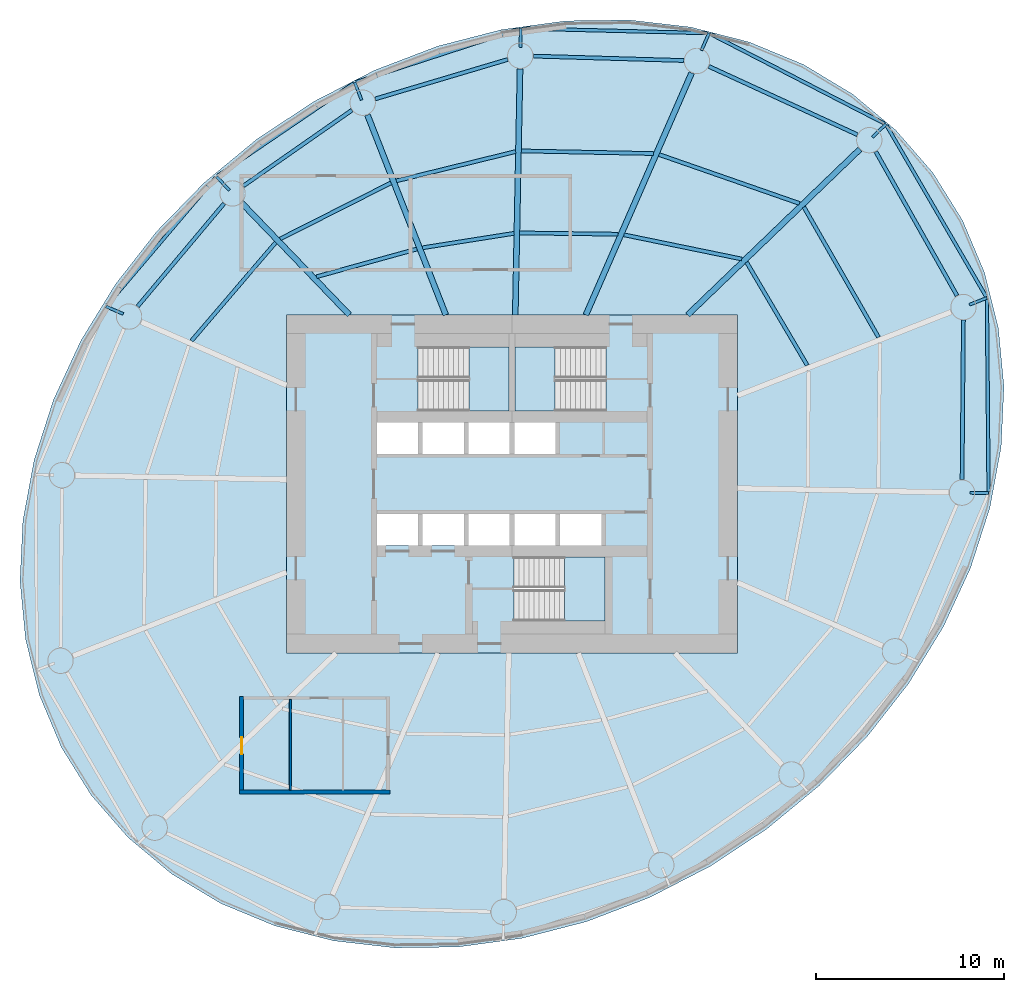
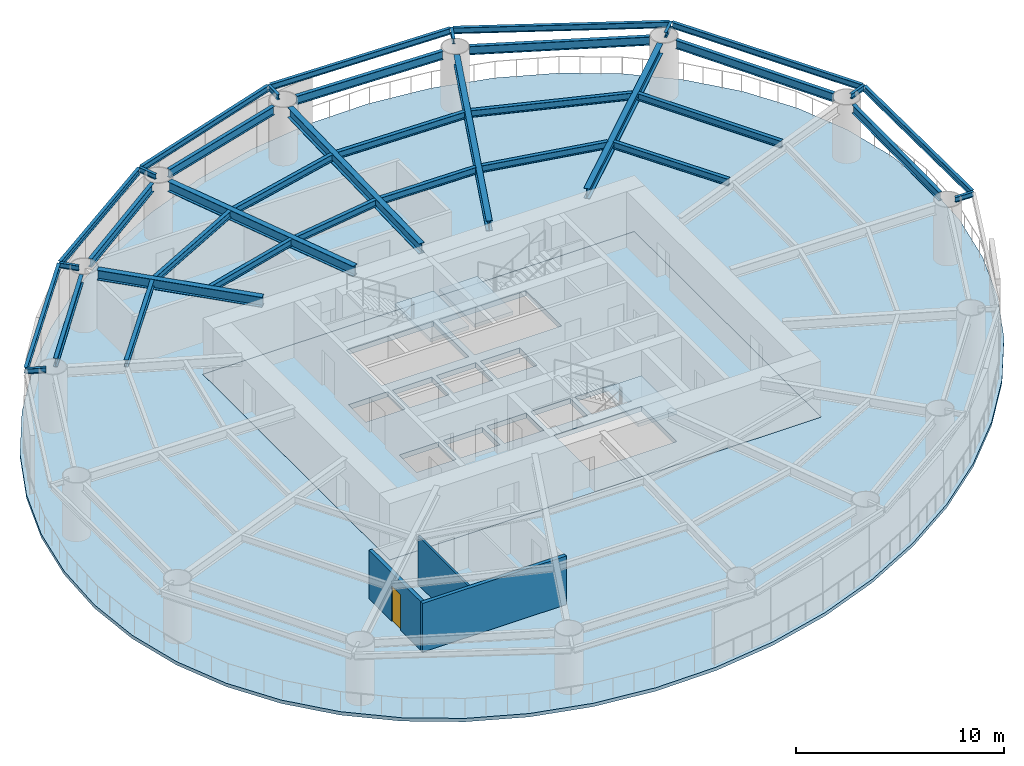
# One storey, part 2 of 8: 38 beams, 5 slabs, 3 walls, 1 door, 1 opening, 3 elements without a shape of their own.
"""IFC4 building model written with IfcOpenShell, lengths in metres."""

from ifc_helpers import new_model, si_unit, direction, frame, frame_2d, origin, origin_2d, place, context, subcontext, project, spatial, polyline, rectangle, i_section, outline, extrude, material, layer, layer_set, material_profile, profile_set, type_object, element, fill, aggregate, save


model = new_model("IFC4")

# Units and contexts
model_context = context("Model", 3, precision=1e-05, world=origin(), true_north=direction((0.0, 1.0)))
body_context = subcontext(model_context, "Body", "Model", "MODEL_VIEW")
ifc_project = project(units=[si_unit("LENGTHUNIT", "METRE"), si_unit("AREAUNIT", "SQUARE_METRE"), si_unit("VOLUMEUNIT", "CUBIC_METRE"), si_unit("PLANEANGLEUNIT", "RADIAN"), si_unit("MASSUNIT", "GRAM", prefix="KILO")], contexts=[model_context])

# Site, building, storey
site_placement = place(None, origin())
site = spatial("IfcSite", under=ifc_project, at=site_placement, CompositionType="ELEMENT")
building_placement = place(site_placement, origin())
building = spatial("IfcBuilding", under=site, at=building_placement, Name="Vermilion Reach Broadcast Tower", CompositionType="ELEMENT")
storey_placement = place(building_placement, frame((0.0, 0.0, 179.39990234375)))
storey = spatial("IfcBuildingStorey", under=building, at=storey_placement, Name="L43", CompositionType="ELEMENT", Elevation=179.39990234375)

# Beams
ifc_material_1 = material(Name="Steel S355J2", Category="steel")
ifc_material_profile_1 = material_profile(ifc_material_1, i_section(OverallWidth=0.175048828125, OverallDepth=0.35009765625, WebThickness=0.007080078125, FlangeThickness=0.010986328125, at=origin_2d()), Name="S355J2 HN 350x175x7x11")
ifc_profile_set_1 = profile_set([ifc_material_profile_1], Name="Steel S355J2")
beam_type_1 = type_object("IfcBeamType", Name="EB3 HN 350x175x7x11", PredefinedType="BEAM", material=ifc_profile_set_1)
beam_1_placement = place(storey_placement, frame((13.8369140625, 19.18701171875, 3.275146484375), z_axis=(-0.889016392654, 0.45787536906, 0.0), x_axis=(-0.45787536906, -0.889016392654, 0.0)))
element("IfcBeam", 1, at=beam_1_placement, inside=storey, type_object=beam_type_1, Name="Edge beam EB3-01", PredefinedType="BEAM", context=body_context, shape_type="SweptSolid", body=[
    extrude(i_section(OverallWidth=0.175048828125, OverallDepth=0.35009765625, WebThickness=0.007080078125, FlangeThickness=0.010986328125, at=origin_2d()), origin(), (0.0, 0.0, 1.0), 10.43798828125),
])
beam_2_placement = place(storey_placement, frame((4.40966796875, 24.002685546875, 3.275146484375), z_axis=(-0.99968959052, 0.024914305243, 0.0), x_axis=(-0.024914305243, -0.99968959052, 0.0)))
element("IfcBeam", 2, at=beam_2_placement, inside=storey, type_object=beam_type_1, Name="Edge beam EB3-02", PredefinedType="BEAM", context=body_context, shape_type="SweptSolid", body=[
    extrude(i_section(OverallWidth=0.175048828125, OverallDepth=0.35009765625, WebThickness=0.007080078125, FlangeThickness=0.010986328125, at=origin_2d()), origin(), (0.0, 0.0, 1.0), 9.867919921875),
])
beam_3_placement = place(storey_placement, frame((-5.605712890625, 24.225830078125, 3.275146484375), z_axis=(-0.950873625049, -0.309579310011, 0.0), x_axis=(0.309579310011, -0.950873625049, 0.0)))
element("IfcBeam", 3, at=beam_3_placement, inside=storey, type_object=beam_type_1, Name="Edge beam EB3-03", PredefinedType="BEAM", context=body_context, shape_type="SweptSolid", body=[
    extrude(i_section(OverallWidth=0.175048828125, OverallDepth=0.35009765625, WebThickness=0.007080078125, FlangeThickness=0.010986328125, at=origin_2d()), origin(), (0.0, 0.0, 1.0), 9.143310546875),
])
beam_4_placement = place(storey_placement, frame((-14.434814453125, 21.32861328125, 3.275146484375), z_axis=(-0.826972128936, -0.562242917219, 0.0), x_axis=(0.562242917219, -0.826972128936, 0.0)))
element("IfcBeam", 4, at=beam_4_placement, inside=storey, type_object=beam_type_1, Name="Edge beam EB3-04", PredefinedType="BEAM", context=body_context, shape_type="SweptSolid", body=[
    extrude(i_section(OverallWidth=0.175048828125, OverallDepth=0.35009765625, WebThickness=0.007080078125, FlangeThickness=0.010986328125, at=origin_2d()), origin(), (0.0, 0.0, 1.0), 8.757568359375),
])
beam_5_placement = place(storey_placement, frame((-21.788818359375, 16.304443359375, 3.275146484375), z_axis=(-0.647521282414, -0.76204736652, 0.0), x_axis=(0.76204736652, -0.647521282414, 0.0)))
element("IfcBeam", 5, at=beam_5_placement, inside=storey, type_object=beam_type_1, Name="Edge beam EB3-05", PredefinedType="BEAM", context=body_context, shape_type="SweptSolid", body=[
    extrude(i_section(OverallWidth=0.175048828125, OverallDepth=0.35009765625, WebThickness=0.007080078125, FlangeThickness=0.010986328125, at=origin_2d()), origin(), (0.0, 0.0, 1.0), 8.919189453125),
])
beam_6_placement = place(storey_placement, frame((19.37548828125, -0.416748046875, 3.275146484375), z_axis=(-0.008653453372, 0.999962558171, 0.0), x_axis=(-0.999962558171, -0.008653453372, 0.0)))
element("IfcBeam", 6, at=beam_6_placement, inside=storey, type_object=beam_type_1, Name="Edge beam EB3-15", PredefinedType="BEAM", context=body_context, shape_type="SweptSolid", body=[
    extrude(i_section(OverallWidth=0.175048828125, OverallDepth=0.35009765625, WebThickness=0.007080078125, FlangeThickness=0.010986328125, at=origin_2d()), origin(), (0.0, 0.0, 1.0), 10.241455078125),
])
beam_7_placement = place(storey_placement, frame((19.248046875, 9.969970703125, 3.275146484375), z_axis=(-0.502826897751, 0.864387130225, 0.0), x_axis=(-0.864387130225, -0.502826897751, 0.0)))
element("IfcBeam", 7, at=beam_7_placement, inside=storey, type_object=beam_type_1, Name="Edge beam EB3-16", PredefinedType="BEAM", context=body_context, shape_type="SweptSolid", body=[
    extrude(i_section(OverallWidth=0.175048828125, OverallDepth=0.35009765625, WebThickness=0.007080078125, FlangeThickness=0.010986328125, at=origin_2d()), origin(), (0.0, 0.0, 1.0), 10.5439453125),
])
ifc_material_2 = material(Name="Steel S355J2", Category="steel")
ifc_material_profile_2 = material_profile(ifc_material_2, i_section(OverallWidth=0.300048828125, OverallDepth=0.587890625, WebThickness=0.011962890625, FlangeThickness=0.02001953125, at=origin_2d()), Name="S355J2 HM 588x300x12x20")
ifc_profile_set_2 = profile_set([ifc_material_profile_2], Name="Steel S355J2")
beam_type_2 = type_object("IfcBeamType", Name="G3 HM 588x300x12x20", PredefinedType="BEAM", material=ifc_profile_set_2)
beam_8_placement = place(storey_placement, frame((3.355712890625, 9.0, 3.156005859375), z_axis=(0.720670374476, 0.693277874559, 0.0), x_axis=(-0.693277874559, 0.720670374476, 0.0)))
element("IfcBeam", 8, at=beam_8_placement, inside=storey, type_object=beam_type_2, Name="Girder G3-01", PredefinedType="BEAM", context=body_context, shape_type="SweptSolid", body=[
    extrude(i_section(OverallWidth=0.300048828125, OverallDepth=0.587890625, WebThickness=0.011962890625, FlangeThickness=0.02001953125, at=origin_2d()), origin(), (0.0, 0.0, 1.0), 12.718505859375),
])
beam_9_placement = place(storey_placement, frame((-2.066162109375, 9.0, 3.156005859375), z_axis=(0.400519113205, 0.916288404356, 0.0), x_axis=(-0.916288404356, 0.400519113205, 0.0)))
element("IfcBeam", 9, at=beam_9_placement, inside=storey, type_object=beam_type_2, Name="Girder G3-02", PredefinedType="BEAM", context=body_context, shape_type="SweptSolid", body=[
    extrude(i_section(OverallWidth=0.300048828125, OverallDepth=0.587890625, WebThickness=0.011962890625, FlangeThickness=0.02001953125, at=origin_2d()), origin(), (0.0, 0.0, 1.0), 14.0595703125),
])
beam_10_placement = place(storey_placement, frame((-5.82568359375, 9.0, 3.156005859375), z_axis=(0.019378372481, 0.99981222171, 0.0), x_axis=(-0.99981222171, 0.019378372481, 0.0)))
element("IfcBeam", 10, at=beam_10_placement, inside=storey, type_object=beam_type_2, Name="Girder G3-03", PredefinedType="BEAM", context=body_context, shape_type="SweptSolid", body=[
    extrude(i_section(OverallWidth=0.300048828125, OverallDepth=0.587890625, WebThickness=0.011962890625, FlangeThickness=0.02001953125, at=origin_2d()), origin(), (0.0, 0.0, 1.0), 13.1025390625),
])
beam_11_placement = place(storey_placement, frame((-9.525146484375, 9.0, 3.156005859375), z_axis=(-0.364715649973, 0.931118947646, 0.0), x_axis=(-0.931118947646, -0.364715649973, 0.0)))
element("IfcBeam", 11, at=beam_11_placement, inside=storey, type_object=beam_type_2, Name="Girder G3-04", PredefinedType="BEAM", context=body_context, shape_type="SweptSolid", body=[
    extrude(i_section(OverallWidth=0.300048828125, OverallDepth=0.587890625, WebThickness=0.011962890625, FlangeThickness=0.02001953125, at=origin_2d()), origin(), (0.0, 0.0, 1.0), 11.436767578125),
])
beam_12_placement = place(storey_placement, frame((-14.657958984375, 9.0, 3.156005859375), z_axis=(-0.693282657492, 0.72066577331, 0.0), x_axis=(-0.72066577331, -0.693282657492, 0.0)))
element("IfcBeam", 12, at=beam_12_placement, inside=storey, type_object=beam_type_2, Name="Girder G3-05", PredefinedType="BEAM", context=body_context, shape_type="SweptSolid", body=[
    extrude(i_section(OverallWidth=0.300048828125, OverallDepth=0.587890625, WebThickness=0.011962890625, FlangeThickness=0.02001953125, at=origin_2d()), origin(), (0.0, 0.0, 1.0), 8.273681640625),
])
ifc_material_3 = material(Name="Steel S355J2", Category="steel")
ifc_material_profile_3 = material_profile(ifc_material_3, i_section(OverallWidth=0.14990234375, OverallDepth=0.300048828125, WebThickness=0.006591796875, FlangeThickness=0.009033203125, at=origin_2d()), Name="S355J2 HN 300x150x6.5x9")
ifc_profile_set_3 = profile_set([ifc_material_profile_3], Name="Steel S355J2")
beam_type_3 = type_object("IfcBeamType", Name="GS3 HN 300x150x6.5x9", PredefinedType="BEAM", material=ifc_profile_set_3)
for number, where, z_axis, x_axis, name in (
    (13, (13.186767578125, 18.457275390625, 3.300048828125), (0.720645397388, 0.693303837595, 0.0), (-0.693303837595, 0.720645397388, 0.0), "Cantilever stub GS3-01"),
    (14, (4.090087890625, 23.08447265625, 3.300048828125), (0.400626718411, 0.916241361485, 0.0), (-0.916241361485, 0.400626718411, 0.0), "Cantilever stub GS3-02"),
    (15, (-5.549560546875, 23.25048828125, 3.300048828125), (0.019532292583, 0.999809226576, 0.0), (-0.999809226576, 0.019532292583, 0.0), "Cantilever stub GS3-03"),
    (16, (-14.006591796875, 20.44091796875, 3.300048828125), (-0.364730702407, 0.931113051526, 0.0), (-0.931113051526, -0.364730702407, 0.0), "Cantilever stub GS3-04"),
    (17, (-21.046630859375, 15.641357421875, 3.300048828125), (-0.693303837595, 0.720645397388, 0.0), (-0.720645397388, -0.693303837595, 0.0), "Cantilever stub GS3-05"),
    (18, (-26.69873046875, 9.04736328125, 3.300048828125), (-0.916330962408, 0.400421736837, 0.0), (-0.400421736837, -0.916330962408, 0.0), "Cantilever stub GS3-06"),
    (19, (18.376220703125, -0.472412109375, 3.300048828125), (0.999813964781, -0.019288230334, 0.0), (0.019288230334, 0.999813964781, 0.0), "Cantilever stub GS3-15"),
    (20, (18.35498046875, 9.539794921875, 3.300048828125), (0.931113051526, 0.364730702407, 0.0), (-0.364730702407, 0.931113051526, 0.0), "Cantilever stub GS3-16"),
):
    element("IfcBeam", number, at=place(storey_placement, frame(where, z_axis=z_axis, x_axis=x_axis)), inside=storey, type_object=beam_type_3, Name=name, PredefinedType="BEAM", context=body_context, shape_type="SweptSolid", body=[
        extrude(i_section(OverallWidth=0.14990234375, OverallDepth=0.300048828125, WebThickness=0.006591796875, FlangeThickness=0.009033203125, at=origin_2d()), origin(), (0.0, 0.0, 1.0), 1.0),
    ])
ifc_material_4 = material(Name="Steel S355J2", Category="steel")
ifc_material_profile_4 = material_profile(ifc_material_4, i_section(OverallWidth=0.199951171875, OverallDepth=0.5, WebThickness=0.010009765625, FlangeThickness=0.01611328125, at=origin_2d()), Name="S355J2 HN 500x200x10x16")
ifc_profile_set_4 = profile_set([ifc_material_profile_4], Name="Steel S355J2")
beam_type_4 = type_object("IfcBeamType", Name="RB3 HN 500x200x10x16", PredefinedType="BEAM", material=ifc_profile_set_4)
beam_13_placement = place(storey_placement, frame((12.389892578125, 18.594970703125, 3.2001953125), z_axis=(-0.908546241769, 0.417784306272, 0.0), x_axis=(-0.417784306272, -0.908546241769, 0.0)))
element("IfcBeam", 21, at=beam_13_placement, inside=storey, type_object=beam_type_4, Name="Ring beam RB3-01", PredefinedType="BEAM", context=body_context, shape_type="SweptSolid", body=[
    extrude(i_section(OverallWidth=0.199951171875, OverallDepth=0.5, WebThickness=0.010009765625, FlangeThickness=0.01611328125, at=origin_2d()), origin(), (0.0, 0.0, 1.0), 8.704833984375),
])
beam_14_placement = place(storey_placement, frame((3.1455078125, 22.544677734375, 3.2001953125), z_axis=(-0.999569781146, 0.029330063427, 0.0), x_axis=(-0.029330063427, -0.999569781146, 0.0)))
element("IfcBeam", 22, at=beam_14_placement, inside=storey, type_object=beam_type_4, Name="Ring beam RB3-02", PredefinedType="BEAM", context=body_context, shape_type="SweptSolid", body=[
    extrude(i_section(OverallWidth=0.199951171875, OverallDepth=0.5, WebThickness=0.010009765625, FlangeThickness=0.01611328125, at=origin_2d()), origin(), (0.0, 0.0, 1.0), 8.007568359375),
])
beam_15_placement = place(storey_placement, frame((-6.229248046875, 22.60009765625, 3.2001953125), z_axis=(-0.958416970322, -0.285371531516, 0.0), x_axis=(0.285371531516, -0.958416970322, 0.0)))
element("IfcBeam", 23, at=beam_15_placement, inside=storey, type_object=beam_type_4, Name="Ring beam RB3-03", PredefinedType="BEAM", context=body_context, shape_type="SweptSolid", body=[
    extrude(i_section(OverallWidth=0.199951171875, OverallDepth=0.5, WebThickness=0.010009765625, FlangeThickness=0.01611328125, at=origin_2d()), origin(), (0.0, 0.0, 1.0), 7.357421875),
])
beam_16_placement = place(storey_placement, frame((-14.525634765625, 19.900146484375, 3.2001953125), z_axis=(-0.820111453349, -0.572203813415, 0.0), x_axis=(0.572203813415, -0.820111453349, 0.0)))
element("IfcBeam", 24, at=beam_16_placement, inside=storey, type_object=beam_type_4, Name="Ring beam RB3-04", PredefinedType="BEAM", context=body_context, shape_type="SweptSolid", body=[
    extrude(i_section(OverallWidth=0.199951171875, OverallDepth=0.5, WebThickness=0.010009765625, FlangeThickness=0.01611328125, at=origin_2d()), origin(), (0.0, 0.0, 1.0), 7.04736328125),
])
beam_17_placement = place(storey_placement, frame((-21.32958984375, 14.931396484375, 3.2001953125), z_axis=(-0.643350337931, -0.765571905626, 0.0), x_axis=(0.765571905626, -0.643350337931, 0.0)))
element("IfcBeam", 25, at=beam_17_placement, inside=storey, type_object=beam_type_4, Name="Ring beam RB3-05", PredefinedType="BEAM", context=body_context, shape_type="SweptSolid", body=[
    extrude(i_section(OverallWidth=0.199951171875, OverallDepth=0.5, WebThickness=0.010009765625, FlangeThickness=0.01611328125, at=origin_2d()), origin(), (0.0, 0.0, 1.0), 7.1630859375),
])
beam_18_placement = place(storey_placement, frame((17.965087890625, 0.23583984375, 3.2001953125), z_axis=(0.008204232036, 0.999966344722, 0.0), x_axis=(-0.999966344722, 0.008204232036, 0.0)))
element("IfcBeam", 26, at=beam_18_placement, inside=storey, type_object=beam_type_4, Name="Ring beam RB3-15", PredefinedType="BEAM", context=body_context, shape_type="SweptSolid", body=[
    extrude(i_section(OverallWidth=0.199951171875, OverallDepth=0.5, WebThickness=0.010009765625, FlangeThickness=0.01611328125, at=origin_2d()), origin(), (0.0, 0.0, 1.0), 8.48095703125),
])
beam_19_placement = place(storey_placement, frame((17.696533203125, 10.026123046875, 3.2001953125), z_axis=(-0.491466825026, 0.870896296869, 0.0), x_axis=(-0.870896296869, -0.491466825026, 0.0)))
element("IfcBeam", 27, at=beam_19_placement, inside=storey, type_object=beam_type_4, Name="Ring beam RB3-16", PredefinedType="BEAM", context=body_context, shape_type="SweptSolid", body=[
    extrude(i_section(OverallWidth=0.199951171875, OverallDepth=0.5, WebThickness=0.010009765625, FlangeThickness=0.01611328125, at=origin_2d()), origin(), (0.0, 0.0, 1.0), 8.803466796875),
])
ifc_material_5 = material(Name="Steel S355J2", Category="steel")
ifc_material_profile_5 = material_profile(ifc_material_5, i_section(OverallWidth=0.199951171875, OverallDepth=0.39990234375, WebThickness=0.008056640625, FlangeThickness=0.012939453125, at=origin_2d()), Name="S355J2 HN 400x200x8x13")
ifc_profile_set_5 = profile_set([ifc_material_profile_5], Name="Steel S355J2")
beam_type_5 = type_object("IfcBeamType", Name="SB3 HN 400x200x8x13", PredefinedType="BEAM", material=ifc_profile_set_5)
beam_20_placement = place(storey_placement, frame((6.232666015625, 11.975830078125, 3.25), z_axis=(-0.97956765607, 0.201114910391, 0.0), x_axis=(-0.201114910391, -0.97956765607, 0.0)))
element("IfcBeam", 28, at=beam_20_placement, inside=storey, type_object=beam_type_5, Name="Secondary beam SB3-01-1", PredefinedType="BEAM", context=body_context, shape_type="SweptSolid", body=[
    extrude(i_section(OverallWidth=0.199951171875, OverallDepth=0.39990234375, WebThickness=0.008056640625, FlangeThickness=0.012939453125, at=origin_2d()), origin(), (0.0, 0.0, 1.0), 6.40234375),
])
beam_21_placement = place(storey_placement, frame((9.307373046875, 14.93359375, 3.25), z_axis=(-0.94431696779, 0.329037177754, 0.0), x_axis=(-0.329037177754, -0.94431696779, 0.0)))
element("IfcBeam", 29, at=beam_21_placement, inside=storey, type_object=beam_type_5, Name="Secondary beam SB3-01-2", PredefinedType="BEAM", context=body_context, shape_type="SweptSolid", body=[
    extrude(i_section(OverallWidth=0.199951171875, OverallDepth=0.39990234375, WebThickness=0.008056640625, FlangeThickness=0.012939453125, at=origin_2d()), origin(), (0.0, 0.0, 1.0), 7.91845703125),
])
beam_22_placement = place(storey_placement, frame((-0.351806640625, 13.29638671875, 3.25), z_axis=(-0.999914891843, 0.013046419838, 0.0), x_axis=(-0.013046419838, -0.999914891843, 0.0)))
element("IfcBeam", 30, at=beam_22_placement, inside=storey, type_object=beam_type_5, Name="Secondary beam SB3-02-1", PredefinedType="BEAM", context=body_context, shape_type="SweptSolid", body=[
    extrude(i_section(OverallWidth=0.199951171875, OverallDepth=0.39990234375, WebThickness=0.008056640625, FlangeThickness=0.012939453125, at=origin_2d()), origin(), (0.0, 0.0, 1.0), 5.23974609375),
])
beam_23_placement = place(storey_placement, frame((1.525634765625, 17.591552734375, 3.25), z_axis=(-0.999804929321, 0.019751033045, 0.0), x_axis=(-0.019751033045, -0.999804929321, 0.0)))
element("IfcBeam", 31, at=beam_23_placement, inside=storey, type_object=beam_type_5, Name="Secondary beam SB3-02-2", PredefinedType="BEAM", context=body_context, shape_type="SweptSolid", body=[
    extrude(i_section(OverallWidth=0.199951171875, OverallDepth=0.39990234375, WebThickness=0.008056640625, FlangeThickness=0.012939453125, at=origin_2d()), origin(), (0.0, 0.0, 1.0), 7.033447265625),
])
beam_24_placement = place(storey_placement, frame((-5.8916015625, 13.343017578125, 3.25), z_axis=(-0.987756142208, -0.15600578044, 0.0), x_axis=(0.15600578044, -0.987756142208, 0.0)))
element("IfcBeam", 32, at=beam_24_placement, inside=storey, type_object=beam_type_5, Name="Secondary beam SB3-03-1", PredefinedType="BEAM", context=body_context, shape_type="SweptSolid", body=[
    extrude(i_section(OverallWidth=0.199951171875, OverallDepth=0.39990234375, WebThickness=0.008056640625, FlangeThickness=0.012939453125, at=origin_2d()), origin(), (0.0, 0.0, 1.0), 4.9326171875),
])
beam_25_placement = place(storey_placement, frame((-5.80712890625, 17.6962890625, 3.25), z_axis=(-0.971111691931, -0.238625400566, 0.0), x_axis=(0.238625400566, -0.971111691931, 0.0)))
element("IfcBeam", 33, at=beam_25_placement, inside=storey, type_object=beam_type_5, Name="Secondary beam SB3-03-2", PredefinedType="BEAM", context=body_context, shape_type="SweptSolid", body=[
    extrude(i_section(OverallWidth=0.199951171875, OverallDepth=0.39990234375, WebThickness=0.008056640625, FlangeThickness=0.012939453125, at=origin_2d()), origin(), (0.0, 0.0, 1.0), 6.540771484375),
])
beam_26_placement = place(storey_placement, frame((-11.06103515625, 12.509521484375, 3.25), z_axis=(-0.963889790258, -0.266301468708, 0.0), x_axis=(0.266301468708, -0.963889790258, 0.0)))
element("IfcBeam", 34, at=beam_26_placement, inside=storey, type_object=beam_type_5, Name="Secondary beam SB3-04-1", PredefinedType="BEAM", context=body_context, shape_type="SweptSolid", body=[
    extrude(i_section(OverallWidth=0.199951171875, OverallDepth=0.39990234375, WebThickness=0.008056640625, FlangeThickness=0.012939453125, at=origin_2d()), origin(), (0.0, 0.0, 1.0), 5.544677734375),
])
beam_27_placement = place(storey_placement, frame((-12.4404296875, 16.03125, 3.25), z_axis=(-0.892320561657, -0.451402276516, 0.0), x_axis=(0.451402276516, -0.892320561657, 0.0)))
element("IfcBeam", 35, at=beam_27_placement, inside=storey, type_object=beam_type_5, Name="Secondary beam SB3-04-2", PredefinedType="BEAM", context=body_context, shape_type="SweptSolid", body=[
    extrude(i_section(OverallWidth=0.199951171875, OverallDepth=0.39990234375, WebThickness=0.008056640625, FlangeThickness=0.012939453125, at=origin_2d()), origin(), (0.0, 0.0, 1.0), 6.613525390625),
])
beam_28_placement = place(storey_placement, frame((-18.579833984375, 12.860595703125, 3.25), z_axis=(-0.650167134505, -0.759791219487, 0.0), x_axis=(0.759791219487, -0.650167134505, 0.0)))
element("IfcBeam", 36, at=beam_28_placement, inside=storey, type_object=beam_type_5, Name="Secondary beam SB3-05-2", PredefinedType="BEAM", context=body_context, shape_type="SweptSolid", body=[
    extrude(i_section(OverallWidth=0.199951171875, OverallDepth=0.39990234375, WebThickness=0.008056640625, FlangeThickness=0.012939453125, at=origin_2d()), origin(), (0.0, 0.0, 1.0), 6.89501953125),
])
beam_29_placement = place(storey_placement, frame((9.71923828125, 6.318115234375, 3.25), z_axis=(-0.507249643612, 0.861799163991, 0.0), x_axis=(-0.861799163991, -0.507249643612, 0.0)))
element("IfcBeam", 37, at=beam_29_placement, inside=storey, type_object=beam_type_5, Name="Secondary beam SB3-16-1", PredefinedType="BEAM", context=body_context, shape_type="SweptSolid", body=[
    extrude(i_section(OverallWidth=0.199951171875, OverallDepth=0.39990234375, WebThickness=0.008056640625, FlangeThickness=0.012939453125, at=origin_2d()), origin(), (0.0, 0.0, 1.0), 6.3681640625),
])
beam_30_placement = place(storey_placement, frame((13.51708984375, 7.805908203125, 3.25), z_axis=(-0.497026503115, 0.867735360119, 0.0), x_axis=(-0.867735360119, -0.497026503115, 0.0)))
element("IfcBeam", 38, at=beam_30_placement, inside=storey, type_object=beam_type_5, Name="Secondary beam SB3-16-2", PredefinedType="BEAM", context=body_context, shape_type="SweptSolid", body=[
    extrude(i_section(OverallWidth=0.199951171875, OverallDepth=0.39990234375, WebThickness=0.008056640625, FlangeThickness=0.012939453125, at=origin_2d()), origin(), (0.0, 0.0, 1.0), 7.995849609375),
])

# Slab
ifc_material_6 = material(Name="Concrete C40", Category="concrete")
ifc_layer_1 = layer(ifc_material_6, 0.300048828125)
ifc_layer_set_1 = layer_set([ifc_layer_1], Name="Core floor slab 300 mm Concrete C40")
slab_type_1 = type_object("IfcSlabType", Name="Core floor slab 300 mm Concrete C40", PredefinedType="FLOOR", material=ifc_layer_set_1)
slab_1_placement = place(storey_placement, frame((0.0, 0.0, -0.2998046875)))
element("IfcSlab", 39, at=slab_1_placement, inside=storey, type_object=slab_type_1, Name="L43 core floor", PredefinedType="FLOOR", context=body_context, shape_type="SweptSolid", body=[
    extrude(outline(polyline([(-18.0, -9.0), (6.0, -9.0), (6.0, 9.0), (-18.0, 9.0), (-18.0, -9.0)]), holes=[polyline([(-13.199951171875, 1.60009765625), (-11.00830078125, 1.60009765625), (-11.00830078125, 3.280029296875), (-13.199951171875, 3.280029296875), (-13.199951171875, 1.60009765625)]), polyline([(-10.75830078125, 1.60009765625), (-8.566650390625, 1.60009765625), (-8.566650390625, 3.280029296875), (-10.75830078125, 3.280029296875), (-10.75830078125, 1.60009765625)]), polyline([(-8.316650390625, 1.60009765625), (-6.125, 1.60009765625), (-6.125, 3.280029296875), (-8.316650390625, 3.280029296875), (-8.316650390625, 1.60009765625)]), polyline([(-5.875, 1.60009765625), (-3.683349609375, 1.60009765625), (-3.683349609375, 3.280029296875), (-5.875, 3.280029296875), (-5.875, 1.60009765625)]), polyline([(-13.199951171875, -3.280029296875), (-11.00830078125, -3.280029296875), (-11.00830078125, -1.60009765625), (-13.199951171875, -1.60009765625), (-13.199951171875, -3.280029296875)]), polyline([(-10.75830078125, -3.280029296875), (-8.566650390625, -3.280029296875), (-8.566650390625, -1.60009765625), (-10.75830078125, -1.60009765625), (-10.75830078125, -3.280029296875)]), polyline([(-8.316650390625, -3.280029296875), (-6.125, -3.280029296875), (-6.125, -1.60009765625), (-8.316650390625, -1.60009765625), (-8.316650390625, -3.280029296875)]), polyline([(-5.875, -3.280029296875), (-3.683349609375, -3.280029296875), (-3.683349609375, -1.60009765625), (-5.875, -1.60009765625), (-5.875, -3.280029296875)]), polyline([(-3.433349609375, -3.280029296875), (-1.24169921875, -3.280029296875), (-1.24169921875, -1.60009765625), (-3.433349609375, -1.60009765625), (-3.433349609375, -3.280029296875)]), polyline([(-10.999267578125, 3.8798828125), (-6.14990234375, 3.8798828125), (-6.14990234375, 7.300048828125), (-10.999267578125, 7.300048828125), (-10.999267578125, 3.8798828125)]), polyline([(-1.000732421875, 7.300048828125), (-5.85009765625, 7.300048828125), (-5.85009765625, 3.8798828125), (-1.000732421875, 3.8798828125), (-1.000732421875, 7.300048828125)]), polyline([(-5.8994140625, -7.300048828125), (-1.050048828125, -7.300048828125), (-1.050048828125, -3.8798828125), (-5.8994140625, -3.8798828125), (-5.8994140625, -7.300048828125)])]), origin(), (0.0, 0.0, 1.0), 0.2998046875),
])

# Stair, slab
ifc_material_7 = material(Name="Concrete C40", Category="concrete")
stair_type = type_object("IfcStairType", Name="Exit stair RC 22 risers 164 mm", PredefinedType="HALF_TURN_STAIR", material=ifc_material_7)
placement_1 = place(storey_placement, origin())
stair_1 = element("IfcStair", 40, at=placement_1, inside=storey, type_object=stair_type, Name="L43 Exit stair ST1", PredefinedType="HALF_TURN_STAIR")
ifc_material_8 = material(Name="Concrete C40", Category="concrete")
ifc_layer_2 = layer(ifc_material_8, 0.199951171875)
ifc_layer_set_2 = layer_set([ifc_layer_2], Name="Exit stair landing Concrete C40")
slab_type_2 = type_object("IfcSlabType", Name="Exit stair landing Concrete C40", PredefinedType="LANDING", material=ifc_layer_set_2)
placement_2 = place(storey_placement, frame((0.0, 0.0, 1.60009765625)))
slab_2 = element("IfcSlab", 41, at=placement_2, type_object=slab_type_2, Name="ST1 landing 1", PredefinedType="LANDING", context=body_context, shape_type="SweptSolid", body=[
    extrude(outline(polyline([(-8.300048828125, 3.8798828125), (-6.14990234375, 3.8798828125), (-6.14990234375, 7.300048828125), (-8.300048828125, 7.300048828125), (-8.300048828125, 3.8798828125)])), origin(), (0.0, 0.0, 1.0), 0.199951171875),
])
aggregate(stair_1, [slab_2])

stair_2 = element("IfcStair", 42, at=placement_1, inside=storey, type_object=stair_type, Name="L43 Exit stair ST2", PredefinedType="HALF_TURN_STAIR")
slab_3 = element("IfcSlab", 43, at=placement_2, type_object=slab_type_2, Name="ST2 landing 1", PredefinedType="LANDING", context=body_context, shape_type="SweptSolid", body=[
    extrude(outline(polyline([(-3.699951171875, 7.300048828125), (-5.85009765625, 7.300048828125), (-5.85009765625, 3.8798828125), (-3.699951171875, 3.8798828125), (-3.699951171875, 7.300048828125)])), origin(), (0.0, 0.0, 1.0), 0.199951171875),
])
aggregate(stair_2, [slab_3])

stair_3 = element("IfcStair", 44, at=placement_1, inside=storey, type_object=stair_type, Name="L43 Exit stair ST3", PredefinedType="HALF_TURN_STAIR")
slab_4 = element("IfcSlab", 45, at=placement_2, type_object=slab_type_2, Name="ST3 landing 1", PredefinedType="LANDING", context=body_context, shape_type="SweptSolid", body=[
    extrude(outline(polyline([(-3.199951171875, -7.300048828125), (-1.050048828125, -7.300048828125), (-1.050048828125, -3.8798828125), (-3.199951171875, -3.8798828125), (-3.199951171875, -7.300048828125)])), origin(), (0.0, 0.0, 1.0), 0.199951171875),
])
aggregate(stair_3, [slab_4])

# Slab
ifc_material_9 = material(Name="Concrete C40", Category="concrete")
ifc_layer_3 = layer(ifc_material_9, 0.199951171875)
ifc_layer_set_3 = layer_set([ifc_layer_3], Name="Floor slab Concrete C40 200")
slab_type_3 = type_object("IfcSlabType", Name="Floor slab Concrete C40 200", PredefinedType="FLOOR", material=ifc_layer_set_3)
slab_5_placement = place(storey_placement, frame((0.0, 0.0, -0.199951171875)))
element("IfcSlab", 46, at=slab_5_placement, inside=storey, type_object=slab_type_3, Name="Floor slab L43", PredefinedType="FLOOR", context=body_context, shape_type="SweptSolid", body=[
    extrude(outline(polyline([(16.41015625, 16.570556640625), (14.446044921875, 18.825927734375), (12.13232421875, 20.759033203125), (9.508056640625, 22.3369140625), (6.618408203125, 23.532470703125), (3.51318359375, 24.32568359375), (0.244873046875, 24.702392578125), (-3.130126953125, 24.65673828125), (-6.554443359375, 24.18896484375), (-9.968994140625, 23.307373046875), (-13.31591796875, 22.027099609375), (-16.537353515625, 20.369873046875), (-19.57861328125, 18.364013671875), (-22.3876953125, 16.0439453125), (-24.916259765625, 13.449462890625), (-27.12109375, 10.624755859375), (-28.964599609375, 7.618408203125), (-30.415283203125, 4.4814453125), (-31.447998046875, 1.26806640625), (-32.04541015625, -1.967041015625), (-32.197265625, -5.168701171875), (-31.900634765625, -8.28173828125), (-31.1611328125, -11.2529296875), (-29.990966796875, -14.031982421875), (-28.41015625, -16.570556640625), (-26.446044921875, -18.825927734375), (-24.13232421875, -20.759033203125), (-21.508056640625, -22.3369140625), (-18.618408203125, -23.532470703125), (-15.51318359375, -24.32568359375), (-12.244873046875, -24.702392578125), (-8.869873046875, -24.65673828125), (-5.445556640625, -24.18896484375), (-2.031005859375, -23.307373046875), (1.31591796875, -22.027099609375), (4.537353515625, -20.369873046875), (7.57861328125, -18.364013671875), (10.3876953125, -16.0439453125), (12.916259765625, -13.449462890625), (15.12109375, -10.624755859375), (16.964599609375, -7.618408203125), (18.415283203125, -4.4814453125), (19.447998046875, -1.26806640625), (20.04541015625, 1.967041015625), (20.197265625, 5.168701171875), (19.900634765625, 8.28173828125), (19.1611328125, 11.2529296875), (17.990966796875, 14.031982421875), (16.41015625, 16.570556640625)]), holes=[polyline([(-18.0, -9.0), (6.0, -9.0), (6.0, 9.0), (-18.0, 9.0), (-18.0, -9.0)])]), origin(), (0.0, 0.0, 1.0), 0.199951171875),
])

# Wall
ifc_material_10 = material(Name="Gypsum board shaft wall")
ifc_layer_4 = layer(ifc_material_10, 0.199951171875)
ifc_layer_set_4 = layer_set([ifc_layer_4], Name="Refuge enclosure wall 200")
wall_type_1 = type_object("IfcWallType", Name="Refuge enclosure wall 200", PredefinedType="PARTITIONING", material=ifc_layer_set_4)
wall_1_placement = place(storey_placement, frame((-20.5, -16.39990234375, 0.0), z_axis=(0.0, 0.0, 1.0), x_axis=(1.0, 0.0, 0.0)))
element("IfcWall", 47, at=wall_1_placement, inside=storey, type_object=wall_type_1, Name="sp.wall.L43.007", PredefinedType="PARTITIONING", context=body_context, shape_type="SweptSolid", body=[
    extrude(rectangle(XDim=8.0, YDim=0.199951171875, at=frame_2d((4.0, 0.0))), origin(), (0.0, 0.0, 1.0), 2.862060546875),
])

# Wall, opening, door
wall_2_placement = place(storey_placement, frame((-20.39990234375, -16.300048828125, 0.0), z_axis=(0.0, 0.0, 1.0), x_axis=(0.0, 1.0, 0.0)))
wall_2 = element("IfcWall", 48, at=wall_2_placement, inside=storey, type_object=wall_type_1, Name="sp.wall.L43.008", PredefinedType="PARTITIONING", context=body_context, shape_type="SweptSolid", body=[
    extrude(rectangle(XDim=4.97509765625, YDim=0.199951171875, at=frame_2d((2.487548828125, 0.0))), origin(), (0.0, 0.0, 1.0), 2.862060546875),
])
opening_placement = place(wall_2_placement, frame((1.908447265625, 0.0, 0.0)))
opening = element("IfcOpeningElement", 49, at=opening_placement, cuts=wall_2, Name="Opening D51", PredefinedType="OPENING", context=body_context, shape_type="SweptSolid", body=[
    extrude(rectangle(XDim=0.89990234375, YDim=2.10009765625, at=frame_2d((0.449951171875, 1.050048828125))), frame((0.0, 0.10986328125, 0.0), z_axis=(0.0, -1.0, 0.0), x_axis=(1.0, 0.0, 0.0)), (0.0, 0.0, 1.0), 0.219970703125),
])
ifc_material_11 = material(Name="Timber and steel door set", Category="steel")
door_type = type_object("IfcDoorType", Name="Door 900x2100 WC", OperationType="NOTDEFINED", PredefinedType="DOOR", material=ifc_material_11)
door_placement = place(opening_placement, origin())
door = element("IfcDoor", 50, at=door_placement, inside=storey, type_object=door_type, Name="sp.door.L43.002", OperationType="SINGLE_SWING_LEFT", OverallHeight=2.10009765625, OverallWidth=0.89990234375, PredefinedType="DOOR", context=body_context, shape_type="SweptSolid", body=[
    extrude(rectangle(XDim=0.89990234375, YDim=2.10009765625, at=frame_2d((0.449951171875, 1.050048828125))), frame((0.0, 0.02490234375, 0.0), z_axis=(0.0, -1.0, 0.0), x_axis=(1.0, 0.0, 0.0)), (0.0, 0.0, 1.0), 0.050048828125),
])
fill(opening, door)

# Wall
ifc_material_12 = material(Name="Gypsum board partition")
ifc_layer_5 = layer(ifc_material_12, 0.10009765625)
ifc_layer_set_5 = layer_set([ifc_layer_5], Name="WC partition 100")
wall_type_2 = type_object("IfcWallType", Name="WC partition 100", PredefinedType="PARTITIONING", material=ifc_layer_set_5)
wall_3_placement = place(storey_placement, frame((-17.800048828125, -16.300048828125, 0.0), z_axis=(0.0, 0.0, 1.0), x_axis=(0.0, 1.0, 0.0)))
element("IfcWall", 51, at=wall_3_placement, inside=storey, type_object=wall_type_2, Name="sp.wall.L43.006", PredefinedType="PARTITIONING", context=body_context, shape_type="SweptSolid", body=[
    extrude(rectangle(XDim=4.824951171875, YDim=0.10009765625, at=frame_2d((2.41259765625, 0.0))), origin(), (0.0, 0.0, 1.0), 2.862060546875),
])

save(model, "model.ifc")
